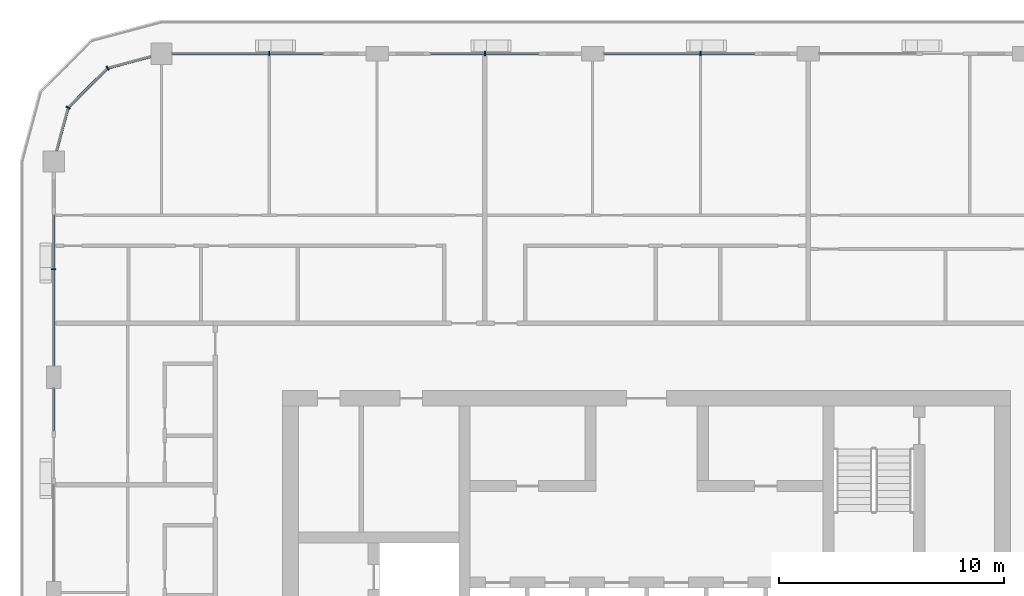
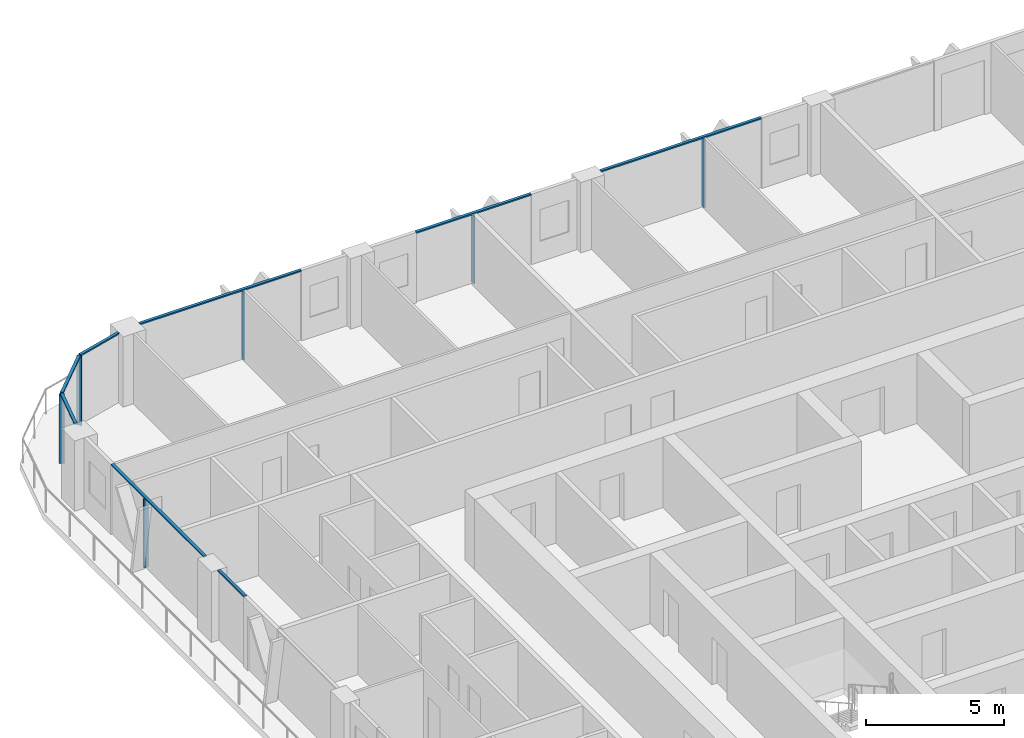
# One storey, part 5 of 22: 14 members, 6 elements without a shape of their own.
"""IFC4 building model written with IfcOpenShell, lengths in metres."""

from ifc_helpers import new_model, si_unit, direction, frame, origin, origin_2d, place, context, subcontext, project, spatial, rectangle, extrude, material, layer, layer_set, material_profile, profile_set, type_object, element, aggregate, save


model = new_model("IFC4")

# Units and contexts
model_context = context("Model", 3, precision=1e-05, world=origin(), true_north=direction((0.0, 1.0)))
body_context = subcontext(model_context, "Body", "Model", "MODEL_VIEW")
ifc_project = project(units=[si_unit("LENGTHUNIT", "METRE"), si_unit("AREAUNIT", "SQUARE_METRE"), si_unit("VOLUMEUNIT", "CUBIC_METRE"), si_unit("PLANEANGLEUNIT", "RADIAN"), si_unit("MASSUNIT", "GRAM", prefix="KILO")], contexts=[model_context])

# Site, building, storey
site_placement = place(None, origin())
site = spatial("IfcSite", under=ifc_project, at=site_placement, CompositionType="ELEMENT")
building_placement = place(site_placement, origin())
building = spatial("IfcBuilding", under=site, at=building_placement, Name="Madar Terraces", CompositionType="ELEMENT")
storey_placement = place(building_placement, frame((0.0, 0.0, 229.800048828125)))
storey = spatial("IfcBuildingStorey", under=building, at=storey_placement, Name="L60", CompositionType="ELEMENT", Elevation=229.800048828125)

# Curtain wall, member
ifc_material_1 = material(Name="Glass, ceramic frit dark grey, with black aluminium frame", Category="aluminium")
ifc_layer = layer(ifc_material_1, 0.199951171875)
ifc_layer_set = layer_set([ifc_layer], Name="Facade curtain wall, fritted glass")
curtain_wall_type = type_object("IfcCurtainWallType", Name="Facade curtain wall, fritted glass", PredefinedType="NOTDEFINED", material=ifc_layer_set)
curtain_wall_1_placement = place(storey_placement, origin())
curtain_wall_1 = element("IfcCurtainWall", 1, at=curtain_wall_1_placement, inside=storey, type_object=curtain_wall_type, Name="Outer skin curtain wall north bay 3", PredefinedType="NOTDEFINED")
ifc_material_2 = material(Name="Aluminium, black anodised", Category="aluminium")
ifc_material_profile_1 = material_profile(ifc_material_2, rectangle(XDim=0.199951171875, YDim=0.06005859375, at=origin_2d()), Name="Facade mullion 60x200")
ifc_profile_set_1 = profile_set([ifc_material_profile_1], Name="Aluminium, black anodised")
member_type_1 = type_object("IfcMemberType", Name="Facade mullion 60x200", PredefinedType="MULLION", material=ifc_profile_set_1)
member_1_placement = place(storey_placement, frame((33.60009765625, 52.800048828125, 0.0), z_axis=(0.0, 0.0, 1.0), x_axis=(0.0, -1.0, 0.0)))
member_1 = element("IfcMember", 2, at=member_1_placement, type_object=member_type_1, Name="Mullion 1", PredefinedType="MULLION", context=body_context, shape_type="SweptSolid", body=[
    extrude(rectangle(XDim=0.199951171875, YDim=0.06005859375, at=origin_2d()), origin(), (0.0, 0.0, 1.0), 3.0400390625),
])

curtain_wall_2_placement = place(storey_placement, origin())
curtain_wall_2 = element("IfcCurtainWall", 3, at=curtain_wall_2_placement, inside=storey, type_object=curtain_wall_type, Name="Outer skin curtain wall north bay 4", PredefinedType="NOTDEFINED")
member_2_placement = place(storey_placement, frame((24.0, 52.800048828125, 0.0), z_axis=(0.0, 0.0, 1.0), x_axis=(0.0, -1.0, 0.0)))
member_2 = element("IfcMember", 4, at=member_2_placement, type_object=member_type_1, Name="Mullion 1", PredefinedType="MULLION", context=body_context, shape_type="SweptSolid", body=[
    extrude(rectangle(XDim=0.199951171875, YDim=0.06005859375, at=origin_2d()), origin(), (0.0, 0.0, 1.0), 3.0400390625),
])

curtain_wall_3_placement = place(storey_placement, origin())
curtain_wall_3 = element("IfcCurtainWall", 5, at=curtain_wall_3_placement, inside=storey, type_object=curtain_wall_type, Name="Outer skin curtain wall north bay 5", PredefinedType="NOTDEFINED")
member_3_placement = place(storey_placement, frame((14.39990234375, 52.800048828125, 0.0), z_axis=(0.0, 0.0, 1.0), x_axis=(0.0, -1.0, 0.0)))
member_3 = element("IfcMember", 6, at=member_3_placement, type_object=member_type_1, Name="Mullion 1", PredefinedType="MULLION", context=body_context, shape_type="SweptSolid", body=[
    extrude(rectangle(XDim=0.199951171875, YDim=0.06005859375, at=origin_2d()), origin(), (0.0, 0.0, 1.0), 3.0400390625),
])

curtain_wall_4_placement = place(storey_placement, origin())
curtain_wall_4 = element("IfcCurtainWall", 7, at=curtain_wall_4_placement, inside=storey, type_object=curtain_wall_type, Name="Outer skin curtain wall west bay 1", PredefinedType="NOTDEFINED")
member_4_placement = place(storey_placement, frame((4.800048828125, 43.199951171875, 0.0), z_axis=(0.0, 0.0, 1.0), x_axis=(1.0, 0.0, 0.0)))
member_4 = element("IfcMember", 8, at=member_4_placement, type_object=member_type_1, Name="Mullion 1", PredefinedType="MULLION", context=body_context, shape_type="SweptSolid", body=[
    extrude(rectangle(XDim=0.199951171875, YDim=0.06005859375, at=origin_2d()), origin(), (0.0, 0.0, 1.0), 3.0400390625),
])

# Curtain wall, members
curtain_wall_5_placement = place(storey_placement, origin())
curtain_wall_5 = element("IfcCurtainWall", 9, at=curtain_wall_5_placement, inside=storey, type_object=curtain_wall_type, Name="Outer skin curtain wall north-west corner", PredefinedType="NOTDEFINED")
member_5_placement = place(storey_placement, frame((7.199951171875, 52.156982421875, 0.0), z_axis=(0.0, 0.0, 1.0), x_axis=(0.499999989586, -0.866025409797, 0.0)))
member_5 = element("IfcMember", 10, at=member_5_placement, type_object=member_type_1, Name="Mullion 1", PredefinedType="MULLION", context=body_context, shape_type="SweptSolid", body=[
    extrude(rectangle(XDim=0.199951171875, YDim=0.06005859375, at=origin_2d()), origin(), (0.0, 0.0, 1.0), 3.0400390625),
])
member_6_placement = place(storey_placement, frame((5.443115234375, 50.39990234375, 0.0), z_axis=(0.0, 0.0, 1.0), x_axis=(0.866025409797, -0.499999989586, 0.0)))
member_6 = element("IfcMember", 11, at=member_6_placement, type_object=member_type_1, Name="Mullion 2", PredefinedType="MULLION", context=body_context, shape_type="SweptSolid", body=[
    extrude(rectangle(XDim=0.199951171875, YDim=0.06005859375, at=origin_2d()), origin(), (0.0, 0.0, 1.0), 3.0400390625),
])

# Member
ifc_material_3 = material(Name="Aluminium, black anodised", Category="aluminium")
ifc_material_profile_2 = material_profile(ifc_material_3, rectangle(XDim=0.1201171875, YDim=0.06005859375, at=origin_2d()), Name="Facade transom 60x120")
ifc_profile_set_2 = profile_set([ifc_material_profile_2], Name="Aluminium, black anodised")
member_type_2 = type_object("IfcMemberType", Name="Facade transom 60x120", PredefinedType="USERDEFINED", material=ifc_profile_set_2)
member_7_placement = place(storey_placement, frame((36.0, 52.800048828125, 3.070068359375), z_axis=(-1.0, 0.0, 0.0), x_axis=(0.0, -1.0, 0.0)))
member_7 = element("IfcMember", 12, at=member_7_placement, type_object=member_type_2, Name="Transom 1", ObjectType="TRANSOM", PredefinedType="USERDEFINED", context=body_context, shape_type="SweptSolid", body=[
    extrude(rectangle(XDim=0.1201171875, YDim=0.06005859375, at=origin_2d()), origin(), (0.0, 0.0, 1.0), 6.699951171875),
])

aggregate(curtain_wall_1, [member_1, member_7])

member_8_placement = place(storey_placement, frame((26.39990234375, 52.800048828125, 3.070068359375), z_axis=(-1.0, 0.0, 0.0), x_axis=(0.0, -1.0, 0.0)))
member_8 = element("IfcMember", 13, at=member_8_placement, type_object=member_type_2, Name="Transom 1", ObjectType="TRANSOM", PredefinedType="USERDEFINED", context=body_context, shape_type="SweptSolid", body=[
    extrude(rectangle(XDim=0.1201171875, YDim=0.06005859375, at=origin_2d()), origin(), (0.0, 0.0, 1.0), 4.7998046875),
])

aggregate(curtain_wall_2, [member_2, member_8])

member_9_placement = place(storey_placement, frame((16.800048828125, 52.800048828125, 3.070068359375), z_axis=(-1.0, 0.0, 0.0), x_axis=(0.0, -1.0, 0.0)))
member_9 = element("IfcMember", 14, at=member_9_placement, type_object=member_type_2, Name="Transom 1", ObjectType="TRANSOM", PredefinedType="USERDEFINED", context=body_context, shape_type="SweptSolid", body=[
    extrude(rectangle(XDim=0.1201171875, YDim=0.06005859375, at=origin_2d()), origin(), (0.0, 0.0, 1.0), 6.72509765625),
])

aggregate(curtain_wall_3, [member_3, member_9])

member_10_placement = place(storey_placement, frame((4.800048828125, 45.60009765625, 3.070068359375), z_axis=(0.0, -1.0, 0.0), x_axis=(1.0, 0.0, 0.0)))
member_10 = element("IfcMember", 15, at=member_10_placement, type_object=member_type_2, Name="Transom 1", ObjectType="TRANSOM", PredefinedType="USERDEFINED", context=body_context, shape_type="SweptSolid", body=[
    extrude(rectangle(XDim=0.1201171875, YDim=0.06005859375, at=origin_2d()), origin(), (0.0, 0.0, 1.0), 6.7001953125),
])

aggregate(curtain_wall_4, [member_4, member_10])

# Curtain wall, member
curtain_wall_6_placement = place(storey_placement, origin())
curtain_wall_6 = element("IfcCurtainWall", 16, at=curtain_wall_6_placement, inside=storey, type_object=curtain_wall_type, Name="Outer skin curtain wall west bay 2", PredefinedType="NOTDEFINED")
member_11_placement = place(storey_placement, frame((4.800048828125, 37.89990234375, 3.070068359375), z_axis=(0.0, -1.0, 0.0), x_axis=(1.0, 0.0, 0.0)))
member_11 = element("IfcMember", 17, at=member_11_placement, type_object=member_type_2, Name="Transom 1", ObjectType="TRANSOM", PredefinedType="USERDEFINED", context=body_context, shape_type="SweptSolid", body=[
    extrude(rectangle(XDim=0.1201171875, YDim=0.06005859375, at=origin_2d()), origin(), (0.0, 0.0, 1.0), 1.89990234375),
])
aggregate(curtain_wall_6, [member_11])

# Member
member_12_placement = place(storey_placement, frame((9.125, 52.672607421875, 3.070068359375), z_axis=(-0.965953602414, -0.258715360935, 0.0), x_axis=(0.258715360935, -0.965953602414, 0.0)))
member_12 = element("IfcMember", 18, at=member_12_placement, type_object=member_type_2, Name="Transom 1", ObjectType="TRANSOM", PredefinedType="USERDEFINED", context=body_context, shape_type="SweptSolid", body=[
    extrude(rectangle(XDim=0.1201171875, YDim=0.06005859375, at=origin_2d()), origin(), (0.0, 0.0, 1.0), 1.962890625),
])

member_13_placement = place(storey_placement, frame((7.1787109375, 52.1357421875, 3.070068359375), z_axis=(-0.707056433593, -0.707157125196, 0.0), x_axis=(0.707157125196, -0.707056433593, 0.0)))
member_13 = element("IfcMember", 19, at=member_13_placement, type_object=member_type_2, Name="Transom 2", ObjectType="TRANSOM", PredefinedType="USERDEFINED", context=body_context, shape_type="SweptSolid", body=[
    extrude(rectangle(XDim=0.1201171875, YDim=0.06005859375, at=origin_2d()), origin(), (0.0, 0.0, 1.0), 2.424560546875),
])

member_14_placement = place(storey_placement, frame((5.435302734375, 50.37109375, 3.070068359375), z_axis=(-0.258831412352, -0.96592251241, 0.0), x_axis=(0.96592251241, -0.258831412352, 0.0)))
member_14 = element("IfcMember", 20, at=member_14_placement, type_object=member_type_2, Name="Transom 3", ObjectType="TRANSOM", PredefinedType="USERDEFINED", context=body_context, shape_type="SweptSolid", body=[
    extrude(rectangle(XDim=0.1201171875, YDim=0.06005859375, at=origin_2d()), origin(), (0.0, 0.0, 1.0), 1.962890625),
])

aggregate(curtain_wall_5, [member_5, member_12, member_6, member_13, member_14])

save(model, "model.ifc")
